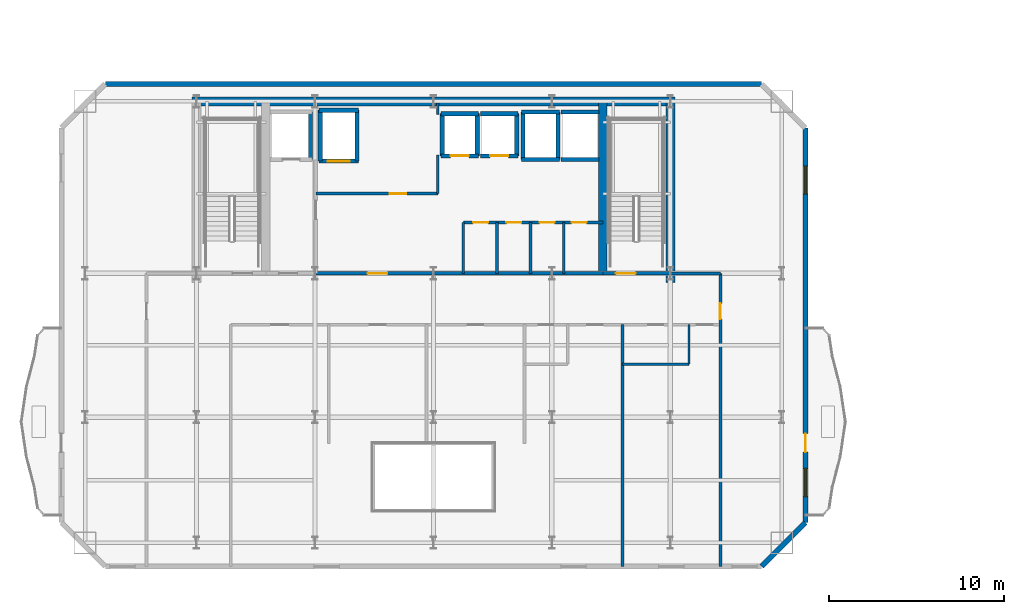
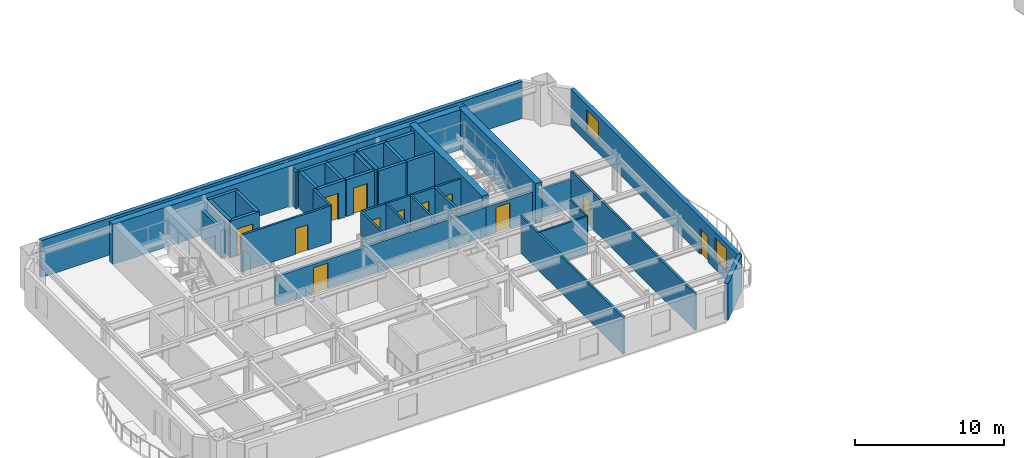
# One storey, part 6 of 13: 39 walls, 12 doors, 2 windows, 14 openings.
"""IFC4 building model written with IfcOpenShell, lengths in metres."""

from ifc_helpers import new_model, si_unit, direction, frame, frame_2d, origin, place, context, subcontext, project, spatial, rectangle, extrude, material, layer, layer_set, type_object, element, fill, save


model = new_model("IFC4")

# Units and contexts
model_context = context("Model", 3, precision=1e-05, world=origin(), true_north=direction((0.0, 1.0)))
body_context = subcontext(model_context, "Body", "Model", "MODEL_VIEW")
ifc_project = project(units=[si_unit("LENGTHUNIT", "METRE"), si_unit("AREAUNIT", "SQUARE_METRE"), si_unit("VOLUMEUNIT", "CUBIC_METRE"), si_unit("PLANEANGLEUNIT", "RADIAN"), si_unit("MASSUNIT", "GRAM", prefix="KILO")], contexts=[model_context])

# Site, building, storey
site_placement = place(None, origin())
site = spatial("IfcSite", under=ifc_project, at=site_placement, CompositionType="ELEMENT")
building_placement = place(site_placement, origin())
building = spatial("IfcBuilding", under=site, at=building_placement, Name="Haevon Station Towers", CompositionType="ELEMENT")
storey_placement = place(building_placement, frame((0.0, 0.0, 142.800048828125)))
storey = spatial("IfcBuildingStorey", under=building, at=storey_placement, Name="L38", CompositionType="ELEMENT", Elevation=142.800048828125)

# Wall, opening, door
ifc_material_1 = material(Name="Gypsum board on steel stud", Category="steel")
ifc_layer_1 = layer(ifc_material_1, 0.199951171875)
ifc_layer_set_1 = layer_set([ifc_layer_1], Name="Gypsum board on steel stud")
wall_type_1 = type_object("IfcWallType", Name="WL-COR200", PredefinedType="PARTITIONING", material=ifc_layer_set_1)
wall_1_placement = place(storey_placement, frame((47.14990234375, 38.199951171875, 0.0), z_axis=(0.0, 0.0, 1.0), x_axis=(1.0, 0.0, 0.0)))
wall_1 = element("IfcWall", 1, at=wall_1_placement, inside=storey, type_object=wall_type_1, Name="WL-ST-ST2-L38", PredefinedType="PARTITIONING", context=body_context, shape_type="SweptSolid", body=[
    extrude(rectangle(XDim=3.85009765625, YDim=0.199951171875, at=frame_2d((1.925048828125, 0.0))), origin(), (0.0, 0.0, 1.0), 2.3798828125),
])
opening_1_placement = place(wall_1_placement, frame((0.75, 0.0, 0.0)))
opening_1 = element("IfcOpeningElement", 2, at=opening_1_placement, cuts=wall_1, Name="Opening DR-ST-ST2-L38", PredefinedType="OPENING", context=body_context, shape_type="SweptSolid", body=[
    extrude(rectangle(XDim=1.1201171875, YDim=2.10009765625, at=frame_2d((0.56005859375, 1.050048828125))), frame((0.0, 0.10986328125, 0.0), z_axis=(0.0, -1.0, 0.0), x_axis=(1.0, 0.0, 0.0)), (0.0, 0.0, 1.0), 0.219970703125),
])
ifc_material_2 = material(Name="Engineered oak timber", Category="wood")
door_type_1 = type_object("IfcDoorType", Name="DR-ST-1120", OperationType="NOTDEFINED", PredefinedType="DOOR", material=ifc_material_2)
door_1_placement = place(opening_1_placement, origin())
door_1 = element("IfcDoor", 3, at=door_1_placement, inside=storey, type_object=door_type_1, Name="L38 Escape Stair ST2 Fire Door", OperationType="SINGLE_SWING_LEFT", OverallHeight=2.10009765625, OverallWidth=1.1201171875, PredefinedType="DOOR", context=body_context, shape_type="SweptSolid", body=[
    extrude(rectangle(XDim=1.1201171875, YDim=2.10009765625, at=frame_2d((0.56005859375, 1.050048828125))), frame((0.0, 0.02490234375, 0.0), z_axis=(0.0, -1.0, 0.0), x_axis=(1.0, 0.0, 0.0)), (0.0, 0.0, 1.0), 0.050048828125),
])
fill(opening_1, door_1)

wall_2_placement = place(storey_placement, frame((30.800048828125, 38.199951171875, 0.0), z_axis=(0.0, 0.0, 1.0), x_axis=(1.0, 0.0, 0.0)))
wall_2 = element("IfcWall", 4, at=wall_2_placement, inside=storey, type_object=wall_type_1, Name="WL-T1CLB-L38", PredefinedType="PARTITIONING", context=body_context, shape_type="SweptSolid", body=[
    extrude(rectangle(XDim=16.349853515625, YDim=0.199951171875, at=frame_2d((8.1748046875, 0.0))), origin(), (0.0, 0.0, 1.0), 2.3798828125),
])
opening_2_placement = place(wall_2_placement, frame((2.949951171875, 0.0, 0.0)))
opening_2 = element("IfcOpeningElement", 5, at=opening_2_placement, cuts=wall_2, Name="Opening DR-T1CLB-L38-1", PredefinedType="OPENING", context=body_context, shape_type="SweptSolid", body=[
    extrude(rectangle(XDim=1.1201171875, YDim=2.10009765625, at=frame_2d((0.56005859375, 1.050048828125))), frame((0.0, 0.10986328125, 0.0), z_axis=(0.0, -1.0, 0.0), x_axis=(1.0, 0.0, 0.0)), (0.0, 0.0, 1.0), 0.219970703125),
])
door_2_placement = place(opening_2_placement, origin())
door_2 = element("IfcDoor", 6, at=door_2_placement, inside=storey, type_object=door_type_1, Name="L38 Tower 1 Core Lift Lobby Door 1", OperationType="SINGLE_SWING_RIGHT", OverallHeight=2.10009765625, OverallWidth=1.1201171875, PredefinedType="DOOR", context=body_context, shape_type="SweptSolid", body=[
    extrude(rectangle(XDim=1.1201171875, YDim=2.10009765625, at=frame_2d((0.56005859375, 1.050048828125))), frame((0.0, 0.02490234375, 0.0), z_axis=(0.0, -1.0, 0.0), x_axis=(1.0, 0.0, 0.0)), (0.0, 0.0, 1.0), 0.050048828125),
])
fill(opening_2, door_2)

# Walls
ifc_material_3 = material(Name="Concrete C60/75", Category="concrete")
ifc_layer_2 = layer(ifc_material_3, 0.5)
ifc_layer_set_2 = layer_set([ifc_layer_2], Name="Concrete C60/75")
wall_type_2 = type_object("IfcWallType", Name="WL-CR500", PredefinedType="SHEAR", material=ifc_layer_set_2)
wall_3_placement = place(storey_placement, frame((23.75, 48.0, 0.0), z_axis=(0.0, 0.0, 1.0), x_axis=(1.0, 0.0, 0.0)))
element("IfcWall", 7, at=wall_3_placement, inside=storey, type_object=wall_type_2, Name="WL-T1CR-L38-N", PredefinedType="SHEAR", context=body_context, shape_type="SweptSolid", body=[
    extrude(rectangle(XDim=27.5, YDim=0.5, at=frame_2d((13.75, 0.0))), origin(), (0.0, 0.0, 1.0), 3.300048828125),
])
wall_4_placement = place(storey_placement, frame((51.0, 37.679931640625, 0.0), z_axis=(0.0, 0.0, 1.0), x_axis=(0.0, 1.0, 0.0)))
element("IfcWall", 8, at=wall_4_placement, inside=storey, type_object=wall_type_2, Name="WL-T1CR-L38-E", PredefinedType="SHEAR", context=body_context, shape_type="SweptSolid", body=[
    extrude(rectangle(XDim=10.320068359375, YDim=0.5, at=frame_2d((5.16015625, 0.0))), origin(), (0.0, 0.0, 1.0), 3.300048828125),
])
wall_5_placement = place(storey_placement, frame((47.14990234375, 38.199951171875, 0.0), z_axis=(0.0, 0.0, 1.0), x_axis=(0.0, 1.0, 0.0)))
element("IfcWall", 9, at=wall_5_placement, inside=storey, type_object=wall_type_2, Name="WL-T1CR-L38-M2", PredefinedType="SHEAR", context=body_context, shape_type="SweptSolid", body=[
    extrude(rectangle(XDim=9.800048828125, YDim=0.5, at=frame_2d((4.89990234375, 0.0))), origin(), (0.0, 0.0, 1.0), 3.300048828125),
])
ifc_material_4 = material(Name="Precast concrete C45/55", Category="concrete")
ifc_layer_3 = layer(ifc_material_4, 0.300048828125)
ifc_layer_set_3 = layer_set([ifc_layer_3], Name="Precast concrete C45/55")
wall_type_3 = type_object("IfcWallType", Name="WL-EXT-PIER300", PredefinedType="SOLIDWALL", material=ifc_layer_set_3)
wall_6_placement = place(storey_placement, frame((18.800048828125, 49.0, 0.0), z_axis=(0.0, 0.0, 1.0), x_axis=(1.0, 0.0, 0.0)))
element("IfcWall", 10, at=wall_6_placement, inside=storey, type_object=wall_type_3, Name="WL-T1-L38-N", PredefinedType="SOLIDWALL", context=body_context, shape_type="SweptSolid", body=[
    extrude(rectangle(XDim=37.39990234375, YDim=0.300048828125, at=frame_2d((18.699951171875, 0.0))), origin(), (0.0, 0.0, 1.0), 3.030029296875),
])

# Wall, openings, door, windows
wall_7_placement = place(storey_placement, frame((58.699951171875, 46.5, 0.0), z_axis=(0.0, 0.0, 1.0), x_axis=(0.0, -1.0, 0.0)))
wall_7 = element("IfcWall", 11, at=wall_7_placement, inside=storey, type_object=wall_type_3, Name="WL-T1-L38-E", PredefinedType="SOLIDWALL", context=body_context, shape_type="SweptSolid", body=[
    extrude(rectangle(XDim=22.5, YDim=0.300048828125, at=frame_2d((11.25, 0.0))), origin(), (0.0, 0.0, 1.0), 3.030029296875),
])
opening_3_placement = place(wall_7_placement, frame((17.425048828125, 0.0, 0.0)))
opening_3 = element("IfcOpeningElement", 12, at=opening_3_placement, cuts=wall_7, Name="Opening DR-T1-SCAL-L38-E", PredefinedType="OPENING", context=body_context, shape_type="SweptSolid", body=[
    extrude(rectangle(XDim=1.050048828125, YDim=2.10009765625, at=frame_2d((0.52490234375, 1.050048828125))), frame((0.0, 0.159912109375, 0.0), z_axis=(0.0, -1.0, 0.0), x_axis=(1.0, 0.0, 0.0)), (0.0, 0.0, 1.0), 0.320068359375),
])
opening_4_placement = place(wall_7_placement, frame((2.1787109375, 0.0, 0.800048828125)))
opening_4 = element("IfcOpeningElement", 13, at=opening_4_placement, cuts=wall_7, Name="Opening WN-END160", PredefinedType="OPENING", context=body_context, shape_type="SweptSolid", body=[
    extrude(rectangle(XDim=1.60009765625, YDim=1.800048828125, at=frame_2d((0.800048828125, 0.89990234375))), frame((0.0, 0.159912109375, 0.0), z_axis=(0.0, -1.0, 0.0), x_axis=(1.0, 0.0, 0.0)), (0.0, 0.0, 1.0), 0.320068359375),
])
opening_5_placement = place(wall_7_placement, frame((19.41064453125, 0.0, 0.800048828125)))
opening_5 = element("IfcOpeningElement", 14, at=opening_5_placement, cuts=wall_7, Name="Opening WN-END160", PredefinedType="OPENING", context=body_context, shape_type="SweptSolid", body=[
    extrude(rectangle(XDim=1.60009765625, YDim=1.800048828125, at=frame_2d((0.800048828125, 0.89990234375))), frame((0.0, 0.159912109375, 0.0), z_axis=(0.0, -1.0, 0.0), x_axis=(1.0, 0.0, 0.0)), (0.0, 0.0, 1.0), 0.320068359375),
])
ifc_material_5 = material(Name="Thermally broken anodised aluminium and laminated safety glass", Category="aluminium")
door_type_2 = type_object("IfcDoorType", Name="DR-BALC-1050", OperationType="NOTDEFINED", PredefinedType="DOOR", material=ifc_material_5)
door_3_placement = place(opening_3_placement, origin())
door_3 = element("IfcDoor", 15, at=door_3_placement, inside=storey, type_object=door_type_2, Name="Tower 1 L38 East Scalloped Balcony Door", OperationType="SINGLE_SWING_RIGHT", OverallHeight=2.10009765625, OverallWidth=1.050048828125, PredefinedType="DOOR", context=body_context, shape_type="SweptSolid", body=[
    extrude(rectangle(XDim=1.050048828125, YDim=2.10009765625, at=frame_2d((0.52490234375, 1.050048828125))), frame((0.0, 0.02490234375, 0.0), z_axis=(0.0, -1.0, 0.0), x_axis=(1.0, 0.0, 0.0)), (0.0, 0.0, 1.0), 0.050048828125),
])
fill(opening_3, door_3)
ifc_material_6 = material(Name="Low-E triple glazing in thermally broken aluminium", Category="aluminium")
window_type = type_object("IfcWindowType", Name="WN-END160", PartitioningType="SINGLE_PANEL", PredefinedType="WINDOW", material=ifc_material_6)
window_1_placement = place(opening_4_placement, origin())
window_1 = element("IfcWindow", 16, at=window_1_placement, inside=storey, type_object=window_type, Name="WN-T1-L38-E01", OverallHeight=1.800048828125, OverallWidth=1.60009765625, PartitioningType="SINGLE_PANEL", PredefinedType="WINDOW", context=body_context, shape_type="SweptSolid", body=[
    extrude(rectangle(XDim=1.60009765625, YDim=1.800048828125, at=frame_2d((0.800048828125, 0.89990234375))), frame((0.0, 0.030029296875, 0.0), z_axis=(0.0, -1.0, 0.0), x_axis=(1.0, 0.0, 0.0)), (0.0, 0.0, 1.0), 0.06005859375),
])
fill(opening_4, window_1)
window_2_placement = place(opening_5_placement, origin())
window_2 = element("IfcWindow", 17, at=window_2_placement, inside=storey, type_object=window_type, Name="WN-T1-L38-E02", OverallHeight=1.800048828125, OverallWidth=1.60009765625, PartitioningType="SINGLE_PANEL", PredefinedType="WINDOW", context=body_context, shape_type="SweptSolid", body=[
    extrude(rectangle(XDim=1.60009765625, YDim=1.800048828125, at=frame_2d((0.800048828125, 0.89990234375))), frame((0.0, 0.030029296875, 0.0), z_axis=(0.0, -1.0, 0.0), x_axis=(1.0, 0.0, 0.0)), (0.0, 0.0, 1.0), 0.06005859375),
])
fill(opening_5, window_2)

# Walls
wall_8_placement = place(storey_placement, frame((58.699951171875, 24.0, 0.0), z_axis=(0.0, 0.0, 1.0), x_axis=(-0.707106781187, -0.707106781187, 0.0)))
element("IfcWall", 18, at=wall_8_placement, inside=storey, type_object=wall_type_3, Name="WL-T1-L38-SEC", PredefinedType="SOLIDWALL", context=body_context, shape_type="SweptSolid", body=[
    extrude(rectangle(XDim=3.53564453125, YDim=0.300048828125, at=frame_2d((1.767822265625, 0.0))), origin(), (0.0, 0.0, 1.0), 3.030029296875),
])
ifc_layer_4 = layer(ifc_material_1, 0.125)
ifc_layer_set_4 = layer_set([ifc_layer_4], Name="Gypsum board on steel stud")
wall_type_4 = type_object("IfcWallType", Name="WL-PRT125", PredefinedType="PARTITIONING", material=ifc_layer_set_4)
wall_9_placement = place(storey_placement, frame((52.070068359375, 33.030029296875, 0.0), z_axis=(0.0, 0.0, 1.0), x_axis=(0.0, 1.0, 0.0)))
element("IfcWall", 19, at=wall_9_placement, inside=storey, type_object=wall_type_4, Name="WL-T1PT-L38-19", PredefinedType="PARTITIONING", context=body_context, shape_type="SweptSolid", body=[
    extrude(rectangle(XDim=2.25, YDim=0.125, at=frame_2d((1.125, 0.0))), origin(), (0.0, 0.0, 1.0), 3.030029296875),
])
ifc_layer_5 = layer(ifc_material_1, 0.139892578125)
ifc_layer_set_5 = layer_set([ifc_layer_5], Name="Gypsum board on steel stud")
wall_type_5 = type_object("IfcWallType", Name="WL-PRT140", PredefinedType="PARTITIONING", material=ifc_layer_set_5)
wall_10_placement = place(storey_placement, frame((48.27001953125, 33.030029296875, 0.0), z_axis=(0.0, 0.0, 1.0), x_axis=(1.0, 0.0, 0.0)))
element("IfcWall", 20, at=wall_10_placement, inside=storey, type_object=wall_type_5, Name="WL-T1PT-L38-18", PredefinedType="PARTITIONING", context=body_context, shape_type="SweptSolid", body=[
    extrude(rectangle(XDim=3.800048828125, YDim=0.139892578125, at=frame_2d((1.89990234375, 0.0))), origin(), (0.0, 0.0, 1.0), 3.030029296875),
])

# Wall, opening, door
ifc_layer_6 = layer(ifc_material_1, 0.159912109375)
ifc_layer_set_6 = layer_set([ifc_layer_6], Name="Gypsum board on steel stud")
wall_type_6 = type_object("IfcWallType", Name="WL-PRT160", PredefinedType="PARTITIONING", material=ifc_layer_set_6)
wall_11_placement = place(storey_placement, frame((30.800048828125, 42.75, 0.0), z_axis=(0.0, 0.0, 1.0), x_axis=(1.0, 0.0, 0.0)))
wall_11 = element("IfcWall", 21, at=wall_11_placement, inside=storey, type_object=wall_type_6, Name="WL-T1CW-L38-01", PredefinedType="PARTITIONING", context=body_context, shape_type="SweptSolid", body=[
    extrude(rectangle(XDim=6.949951171875, YDim=0.159912109375, at=frame_2d((3.47509765625, 0.0))), origin(), (0.0, 0.0, 1.0), 3.030029296875),
])
opening_6_placement = place(wall_11_placement, frame((4.199951171875, 0.0, 0.0)))
opening_6 = element("IfcOpeningElement", 22, at=opening_6_placement, cuts=wall_11, Name="Opening DR-WL-T1CW-L38-01-1", PredefinedType="OPENING", context=body_context, shape_type="SweptSolid", body=[
    extrude(rectangle(XDim=0.949951171875, YDim=2.10009765625, at=frame_2d((0.47509765625, 1.050048828125))), frame((0.0, 0.08984375, 0.0), z_axis=(0.0, -1.0, 0.0), x_axis=(1.0, 0.0, 0.0)), (0.0, 0.0, 1.0), 0.179931640625),
])
door_type_3 = type_object("IfcDoorType", Name="DR-FD60-950", OperationType="NOTDEFINED", PredefinedType="DOOR", material=ifc_material_2)
door_4_placement = place(opening_6_placement, origin())
door_4 = element("IfcDoor", 23, at=door_4_placement, inside=storey, type_object=door_type_3, Name="L38 Tower 1 Core Room Door 1-1", OperationType="SINGLE_SWING_LEFT", OverallHeight=2.10009765625, OverallWidth=0.949951171875, PredefinedType="DOOR", context=body_context, shape_type="SweptSolid", body=[
    extrude(rectangle(XDim=0.949951171875, YDim=2.10009765625, at=frame_2d((0.47509765625, 1.050048828125))), frame((0.0, 0.02490234375, 0.0), z_axis=(0.0, -1.0, 0.0), x_axis=(1.0, 0.0, 0.0)), (0.0, 0.0, 1.0), 0.050048828125),
])
fill(opening_6, door_4)

# Walls
wall_12_placement = place(storey_placement, frame((37.75, 42.75, 0.0), z_axis=(0.0, 0.0, 1.0), x_axis=(0.0, 1.0, 0.0)))
element("IfcWall", 24, at=wall_12_placement, inside=storey, type_object=wall_type_6, Name="WL-T1CW-L38-02", PredefinedType="PARTITIONING", context=body_context, shape_type="SweptSolid", body=[
    extrude(rectangle(XDim=2.199951171875, YDim=0.159912109375, at=frame_2d((1.10009765625, 0.0))), origin(), (0.0, 0.0, 1.0), 3.030029296875),
])
wall_13_placement = place(storey_placement, frame((37.75, 47.25, 0.0), z_axis=(0.0, 0.0, 1.0), x_axis=(0.0, 1.0, 0.0)))
element("IfcWall", 25, at=wall_13_placement, inside=storey, type_object=wall_type_6, Name="WL-T1CW-L38-03", PredefinedType="PARTITIONING", context=body_context, shape_type="SweptSolid", body=[
    extrude(rectangle(XDim=0.64990234375, YDim=0.159912109375, at=frame_2d((0.324951171875, 0.0))), origin(), (0.0, 0.0, 1.0), 3.030029296875),
])
for number, where, z_axis, x_axis, name in (
    (26, (39.199951171875, 38.199951171875, 0.0), (0.0, 0.0, 1.0), (0.0, 1.0, 0.0), "WL-T1CW-L38-04"),
    (27, (41.1298828125, 38.199951171875, 0.0), (0.0, 0.0, 1.0), (0.0, 1.0, 0.0), "WL-T1CW-L38-05"),
    (28, (43.030029296875, 38.199951171875, 0.0), (0.0, 0.0, 1.0), (0.0, 1.0, 0.0), "WL-T1CW-L38-06"),
    (29, (44.929931640625, 38.199951171875, 0.0), (0.0, 0.0, 1.0), (0.0, 1.0, 0.0), "WL-T1CW-L38-07"),
):
    element("IfcWall", number, at=place(storey_placement, frame(where, z_axis=z_axis, x_axis=x_axis)), inside=storey, type_object=wall_type_6, Name=name, PredefinedType="PARTITIONING", context=body_context, shape_type="SweptSolid", body=[
        extrude(rectangle(XDim=2.900146484375, YDim=0.159912109375, at=frame_2d((1.4501953125, 0.0))), origin(), (0.0, 0.0, 1.0), 3.030029296875),
    ])

# Wall, openings, doors
wall_14_placement = place(storey_placement, frame((39.199951171875, 41.10009765625, 0.0), z_axis=(0.0, 0.0, 1.0), x_axis=(1.0, 0.0, 0.0)))
wall_14 = element("IfcWall", 30, at=wall_14_placement, inside=storey, type_object=wall_type_6, Name="WL-T1CW-L38-08", PredefinedType="PARTITIONING", context=body_context, shape_type="SweptSolid", body=[
    extrude(rectangle(XDim=7.949951171875, YDim=0.159912109375, at=frame_2d((3.97509765625, 0.0))), origin(), (0.0, 0.0, 1.0), 3.030029296875),
])
opening_7_placement = place(wall_14_placement, frame((0.56005859375, 0.0, 0.0)))
opening_7 = element("IfcOpeningElement", 31, at=opening_7_placement, cuts=wall_14, Name="Opening DR-WL-T1CW-L38-08-1", PredefinedType="OPENING", context=body_context, shape_type="SweptSolid", body=[
    extrude(rectangle(XDim=0.85009765625, YDim=2.050048828125, at=frame_2d((0.425048828125, 1.02490234375))), frame((0.0, 0.08984375, 0.0), z_axis=(0.0, -1.0, 0.0), x_axis=(1.0, 0.0, 0.0)), (0.0, 0.0, 1.0), 0.179931640625),
])
opening_8_placement = place(wall_14_placement, frame((2.455078125, 0.0, 0.0)))
opening_8 = element("IfcOpeningElement", 32, at=opening_8_placement, cuts=wall_14, Name="Opening DR-WL-T1CW-L38-08-2", PredefinedType="OPENING", context=body_context, shape_type="SweptSolid", body=[
    extrude(rectangle(XDim=0.85009765625, YDim=2.050048828125, at=frame_2d((0.425048828125, 1.02490234375))), frame((0.0, 0.08984375, 0.0), z_axis=(0.0, -1.0, 0.0), x_axis=(1.0, 0.0, 0.0)), (0.0, 0.0, 1.0), 0.179931640625),
])
opening_9_placement = place(wall_14_placement, frame((4.35498046875, 0.0, 0.0)))
opening_9 = element("IfcOpeningElement", 33, at=opening_9_placement, cuts=wall_14, Name="Opening DR-WL-T1CW-L38-08-3", PredefinedType="OPENING", context=body_context, shape_type="SweptSolid", body=[
    extrude(rectangle(XDim=0.85009765625, YDim=2.050048828125, at=frame_2d((0.425048828125, 1.02490234375))), frame((0.0, 0.08984375, 0.0), z_axis=(0.0, -1.0, 0.0), x_axis=(1.0, 0.0, 0.0)), (0.0, 0.0, 1.0), 0.179931640625),
])
opening_10_placement = place(wall_14_placement, frame((6.179931640625, 0.0, 0.0)))
opening_10 = element("IfcOpeningElement", 34, at=opening_10_placement, cuts=wall_14, Name="Opening DR-WL-T1CW-L38-08-4", PredefinedType="OPENING", context=body_context, shape_type="SweptSolid", body=[
    extrude(rectangle(XDim=0.85009765625, YDim=2.050048828125, at=frame_2d((0.425048828125, 1.02490234375))), frame((0.0, 0.08984375, 0.0), z_axis=(0.0, -1.0, 0.0), x_axis=(1.0, 0.0, 0.0)), (0.0, 0.0, 1.0), 0.179931640625),
])
door_type_4 = type_object("IfcDoorType", Name="DR-FD30-850", OperationType="NOTDEFINED", PredefinedType="DOOR", material=ifc_material_2)
door_5_placement = place(opening_7_placement, origin())
door_5 = element("IfcDoor", 35, at=door_5_placement, inside=storey, type_object=door_type_4, Name="L38 Tower 1 Core Room Door 8-1", OperationType="SINGLE_SWING_RIGHT", OverallHeight=2.050048828125, OverallWidth=0.85009765625, PredefinedType="DOOR", context=body_context, shape_type="SweptSolid", body=[
    extrude(rectangle(XDim=0.85009765625, YDim=2.050048828125, at=frame_2d((0.425048828125, 1.02490234375))), frame((0.0, 0.02490234375, 0.0), z_axis=(0.0, -1.0, 0.0), x_axis=(1.0, 0.0, 0.0)), (0.0, 0.0, 1.0), 0.050048828125),
])
fill(opening_7, door_5)
door_6_placement = place(opening_8_placement, origin())
door_6 = element("IfcDoor", 36, at=door_6_placement, inside=storey, type_object=door_type_4, Name="L38 Tower 1 Core Room Door 8-2", OperationType="SINGLE_SWING_LEFT", OverallHeight=2.050048828125, OverallWidth=0.85009765625, PredefinedType="DOOR", context=body_context, shape_type="SweptSolid", body=[
    extrude(rectangle(XDim=0.85009765625, YDim=2.050048828125, at=frame_2d((0.425048828125, 1.02490234375))), frame((0.0, 0.02490234375, 0.0), z_axis=(0.0, -1.0, 0.0), x_axis=(1.0, 0.0, 0.0)), (0.0, 0.0, 1.0), 0.050048828125),
])
fill(opening_8, door_6)
door_7_placement = place(opening_9_placement, origin())
door_7 = element("IfcDoor", 37, at=door_7_placement, inside=storey, type_object=door_type_4, Name="L38 Tower 1 Core Room Door 8-3", OperationType="SINGLE_SWING_RIGHT", OverallHeight=2.050048828125, OverallWidth=0.85009765625, PredefinedType="DOOR", context=body_context, shape_type="SweptSolid", body=[
    extrude(rectangle(XDim=0.85009765625, YDim=2.050048828125, at=frame_2d((0.425048828125, 1.02490234375))), frame((0.0, 0.02490234375, 0.0), z_axis=(0.0, -1.0, 0.0), x_axis=(1.0, 0.0, 0.0)), (0.0, 0.0, 1.0), 0.050048828125),
])
fill(opening_9, door_7)
door_8_placement = place(opening_10_placement, origin())
door_8 = element("IfcDoor", 38, at=door_8_placement, inside=storey, type_object=door_type_4, Name="L38 Tower 1 Core Room Door 8-4", OperationType="SINGLE_SWING_LEFT", OverallHeight=2.050048828125, OverallWidth=0.85009765625, PredefinedType="DOOR", context=body_context, shape_type="SweptSolid", body=[
    extrude(rectangle(XDim=0.85009765625, YDim=2.050048828125, at=frame_2d((0.425048828125, 1.02490234375))), frame((0.0, 0.02490234375, 0.0), z_axis=(0.0, -1.0, 0.0), x_axis=(1.0, 0.0, 0.0)), (0.0, 0.0, 1.0), 0.050048828125),
])
fill(opening_10, door_8)

# Wall
wall_15_placement = place(storey_placement, frame((51.0, 38.199951171875, 0.0), z_axis=(0.0, 0.0, 1.0), x_axis=(1.0, 0.0, 0.0)))
element("IfcWall", 39, at=wall_15_placement, inside=storey, type_object=wall_type_6, Name="WL-T1PT-L38-03", PredefinedType="PARTITIONING", context=body_context, shape_type="SweptSolid", body=[
    extrude(rectangle(XDim=2.85009765625, YDim=0.159912109375, at=frame_2d((1.425048828125, 0.0))), origin(), (0.0, 0.0, 1.0), 2.3798828125),
])

# Wall, opening, door
wall_16_placement = place(storey_placement, frame((53.85009765625, 21.5, 0.0), z_axis=(0.0, 0.0, 1.0), x_axis=(0.0, 1.0, 0.0)))
wall_16 = element("IfcWall", 40, at=wall_16_placement, inside=storey, type_object=wall_type_6, Name="WL-T1PT-L38-05", PredefinedType="PARTITIONING", context=body_context, shape_type="SweptSolid", body=[
    extrude(rectangle(XDim=16.699951171875, YDim=0.159912109375, at=frame_2d((8.35009765625, 0.0))), origin(), (0.0, 0.0, 1.0), 3.030029296875),
])
opening_11_placement = place(wall_16_placement, frame((14.10009765625, 0.0, 0.0)))
opening_11 = element("IfcOpeningElement", 41, at=opening_11_placement, cuts=wall_16, Name="Opening DR-WL-T1PT-L38-05-01", PredefinedType="OPENING", context=body_context, shape_type="SweptSolid", body=[
    extrude(rectangle(XDim=0.89990234375, YDim=2.050048828125, at=frame_2d((0.449951171875, 1.02490234375))), frame((0.0, 0.08984375, 0.0), z_axis=(0.0, -1.0, 0.0), x_axis=(1.0, 0.0, 0.0)), (0.0, 0.0, 1.0), 0.179931640625),
])
door_type_5 = type_object("IfcDoorType", Name="DR-INT-900", OperationType="NOTDEFINED", PredefinedType="DOOR", material=ifc_material_2)
door_9_placement = place(opening_11_placement, origin())
door_9 = element("IfcDoor", 42, at=door_9_placement, inside=storey, type_object=door_type_5, Name="L38 Tower 1 Room Door 5-1", OperationType="SINGLE_SWING_LEFT", OverallHeight=2.050048828125, OverallWidth=0.89990234375, PredefinedType="DOOR", context=body_context, shape_type="SweptSolid", body=[
    extrude(rectangle(XDim=0.89990234375, YDim=2.050048828125, at=frame_2d((0.449951171875, 1.02490234375))), frame((0.0, 0.02490234375, 0.0), z_axis=(0.0, -1.0, 0.0), x_axis=(1.0, 0.0, 0.0)), (0.0, 0.0, 1.0), 0.050048828125),
])
fill(opening_11, door_9)

# Walls
wall_17_placement = place(storey_placement, frame((48.27001953125, 21.5, 0.0), z_axis=(0.0, 0.0, 1.0), x_axis=(0.0, 1.0, 0.0)))
element("IfcWall", 43, at=wall_17_placement, inside=storey, type_object=wall_type_6, Name="WL-T1PT-L38-17", PredefinedType="PARTITIONING", context=body_context, shape_type="SweptSolid", body=[
    extrude(rectangle(XDim=13.780029296875, YDim=0.159912109375, at=frame_2d((6.89013671875, 0.0))), origin(), (0.0, 0.0, 1.0), 3.030029296875),
])
ifc_material_7 = material(Name="Concrete C40/50", Category="concrete")
ifc_layer_7 = layer(ifc_material_7, 0.239990234375)
ifc_layer_set_7 = layer_set([ifc_layer_7], Name="Concrete C40/50")
wall_type_7 = type_object("IfcWallType", Name="WL-SHF240", PredefinedType="PARTITIONING", material=ifc_layer_set_7)
wall_18_placement = place(storey_placement, frame((30.5, 44.699951171875, 0.0), z_axis=(0.0, 0.0, 1.0), x_axis=(0.0, 1.0, 0.0)))
element("IfcWall", 44, at=wall_18_placement, inside=storey, type_object=wall_type_7, Name="WL-SHF-FL1-L38-E", PredefinedType="PARTITIONING", context=body_context, shape_type="SweptSolid", body=[
    extrude(rectangle(XDim=2.699951171875, YDim=0.239990234375, at=frame_2d((1.35009765625, 0.0))), origin(), (0.0, 0.0, 1.0), 2.3798828125),
])

# Wall, opening, door
wall_19_placement = place(storey_placement, frame((30.969970703125, 44.60009765625, 0.0), z_axis=(0.0, 0.0, 1.0), x_axis=(1.0, 0.0, 0.0)))
wall_19 = element("IfcWall", 45, at=wall_19_placement, inside=storey, type_object=wall_type_7, Name="WL-SHF-SL1-L38", PredefinedType="PARTITIONING", context=body_context, shape_type="SweptSolid", body=[
    extrude(rectangle(XDim=2.260009765625, YDim=0.239990234375, at=frame_2d((1.1298828125, 0.0))), origin(), (0.0, 0.0, 1.0), 3.030029296875),
])
opening_12_placement = place(wall_19_placement, frame((0.5048828125, 0.0, 0.0)))
opening_12 = element("IfcOpeningElement", 46, at=opening_12_placement, cuts=wall_19, Name="Opening LD-SL1-L38", PredefinedType="OPENING", context=body_context, shape_type="SweptSolid", body=[
    extrude(rectangle(XDim=1.25, YDim=2.199951171875, at=frame_2d((0.625, 1.10009765625))), frame((0.0, 0.1298828125, 0.0), z_axis=(0.0, -1.0, 0.0), x_axis=(1.0, 0.0, 0.0)), (0.0, 0.0, 1.0), 0.260009765625),
])
ifc_material_8 = material(Name="Stainless steel and rated core", Category="steel")
door_type_6 = type_object("IfcDoorType", Name="LD-SL1250", OperationType="SLIDING_TO_LEFT", PredefinedType="DOOR", material=ifc_material_8)
door_10_placement = place(opening_12_placement, origin())
door_10 = element("IfcDoor", 47, at=door_10_placement, inside=storey, type_object=door_type_6, Name="L38 Lift SL1 Sliding Landing Door", OperationType="SLIDING_TO_LEFT", OverallHeight=2.199951171875, OverallWidth=1.25, PredefinedType="DOOR", context=body_context, shape_type="SweptSolid", body=[
    extrude(rectangle(XDim=1.25, YDim=2.199951171875, at=frame_2d((0.625, 1.10009765625))), frame((0.0, 0.02490234375, 0.0), z_axis=(0.0, -1.0, 0.0), x_axis=(1.0, 0.0, 0.0)), (0.0, 0.0, 1.0), 0.050048828125),
])
fill(opening_12, door_10)

# Walls
wall_20_placement = place(storey_placement, frame((30.969970703125, 47.5, 0.0), z_axis=(0.0, 0.0, 1.0), x_axis=(1.0, 0.0, 0.0)))
element("IfcWall", 48, at=wall_20_placement, inside=storey, type_object=wall_type_7, Name="WL-SHF-SL1-L38-N", PredefinedType="PARTITIONING", context=body_context, shape_type="SweptSolid", body=[
    extrude(rectangle(XDim=2.260009765625, YDim=0.239990234375, at=frame_2d((1.1298828125, 0.0))), origin(), (0.0, 0.0, 1.0), 3.030029296875),
])
for number, where, z_axis, x_axis, name in (
    (49, (31.050048828125, 44.60009765625, 0.0), (0.0, 0.0, 1.0), (0.0, 1.0, 0.0), "WL-SHF-SL1-L38-W"),
    (50, (33.14990234375, 44.60009765625, 0.0), (0.0, 0.0, 1.0), (0.0, 1.0, 0.0), "WL-SHF-SL1-L38-E"),
):
    element("IfcWall", number, at=place(storey_placement, frame(where, z_axis=z_axis, x_axis=x_axis)), inside=storey, type_object=wall_type_7, Name=name, PredefinedType="PARTITIONING", context=body_context, shape_type="SweptSolid", body=[
        extrude(rectangle(XDim=2.89990234375, YDim=0.239990234375, at=frame_2d((1.449951171875, 0.0))), origin(), (0.0, 0.0, 1.0), 3.030029296875),
    ])

# Wall, opening, door
wall_21_placement = place(storey_placement, frame((37.919921875, 44.89990234375, 0.0), z_axis=(0.0, 0.0, 1.0), x_axis=(1.0, 0.0, 0.0)))
wall_21 = element("IfcWall", 51, at=wall_21_placement, inside=storey, type_object=wall_type_7, Name="WL-SHF-PL3-L38", PredefinedType="PARTITIONING", context=body_context, shape_type="SweptSolid", body=[
    extrude(rectangle(XDim=2.16015625, YDim=0.239990234375, at=frame_2d((1.080078125, 0.0))), origin(), (0.0, 0.0, 1.0), 3.030029296875),
])
opening_13_placement = place(wall_21_placement, frame((0.554931640625, 0.0, 0.0)))
opening_13 = element("IfcOpeningElement", 52, at=opening_13_placement, cuts=wall_21, Name="Opening LD-PL3-L38", PredefinedType="OPENING", context=body_context, shape_type="SweptSolid", body=[
    extrude(rectangle(XDim=1.050048828125, YDim=2.14990234375, at=frame_2d((0.52490234375, 1.074951171875))), frame((0.0, 0.1298828125, 0.0), z_axis=(0.0, -1.0, 0.0), x_axis=(1.0, 0.0, 0.0)), (0.0, 0.0, 1.0), 0.260009765625),
])
door_type_7 = type_object("IfcDoorType", Name="LD-PL1050", OperationType="SLIDING_TO_LEFT", PredefinedType="DOOR", material=ifc_material_8)
door_11_placement = place(opening_13_placement, origin())
door_11 = element("IfcDoor", 53, at=door_11_placement, inside=storey, type_object=door_type_7, Name="L38 Lift PL3 Sliding Landing Door", OperationType="SLIDING_TO_LEFT", OverallHeight=2.14990234375, OverallWidth=1.050048828125, PredefinedType="DOOR", context=body_context, shape_type="SweptSolid", body=[
    extrude(rectangle(XDim=1.050048828125, YDim=2.14990234375, at=frame_2d((0.52490234375, 1.074951171875))), frame((0.0, 0.02490234375, 0.0), z_axis=(0.0, -1.0, 0.0), x_axis=(1.0, 0.0, 0.0)), (0.0, 0.0, 1.0), 0.050048828125),
])
fill(opening_13, door_11)

# Walls
wall_22_placement = place(storey_placement, frame((37.919921875, 47.300048828125, 0.0), z_axis=(0.0, 0.0, 1.0), x_axis=(1.0, 0.0, 0.0)))
element("IfcWall", 54, at=wall_22_placement, inside=storey, type_object=wall_type_7, Name="WL-SHF-PL3-L38-N", PredefinedType="PARTITIONING", context=body_context, shape_type="SweptSolid", body=[
    extrude(rectangle(XDim=2.16015625, YDim=0.239990234375, at=frame_2d((1.080078125, 0.0))), origin(), (0.0, 0.0, 1.0), 3.030029296875),
])
for number, where, z_axis, x_axis, name in (
    (55, (38.0, 44.89990234375, 0.0), (0.0, 0.0, 1.0), (0.0, 1.0, 0.0), "WL-SHF-PL3-L38-W"),
    (56, (40.0, 44.89990234375, 0.0), (0.0, 0.0, 1.0), (0.0, 1.0, 0.0), "WL-SHF-PL3-L38-E"),
):
    element("IfcWall", number, at=place(storey_placement, frame(where, z_axis=z_axis, x_axis=x_axis)), inside=storey, type_object=wall_type_7, Name=name, PredefinedType="PARTITIONING", context=body_context, shape_type="SweptSolid", body=[
        extrude(rectangle(XDim=2.400146484375, YDim=0.239990234375, at=frame_2d((1.2001953125, 0.0))), origin(), (0.0, 0.0, 1.0), 3.030029296875),
    ])

# Wall, opening, door
wall_23_placement = place(storey_placement, frame((40.169921875, 44.89990234375, 0.0), z_axis=(0.0, 0.0, 1.0), x_axis=(1.0, 0.0, 0.0)))
wall_23 = element("IfcWall", 57, at=wall_23_placement, inside=storey, type_object=wall_type_7, Name="WL-SHF-PL4-L38", PredefinedType="PARTITIONING", context=body_context, shape_type="SweptSolid", body=[
    extrude(rectangle(XDim=2.16015625, YDim=0.239990234375, at=frame_2d((1.080078125, 0.0))), origin(), (0.0, 0.0, 1.0), 3.030029296875),
])
opening_14_placement = place(wall_23_placement, frame((0.554931640625, 0.0, 0.0)))
opening_14 = element("IfcOpeningElement", 58, at=opening_14_placement, cuts=wall_23, Name="Opening LD-PL4-L38", PredefinedType="OPENING", context=body_context, shape_type="SweptSolid", body=[
    extrude(rectangle(XDim=1.050048828125, YDim=2.14990234375, at=frame_2d((0.52490234375, 1.074951171875))), frame((0.0, 0.1298828125, 0.0), z_axis=(0.0, -1.0, 0.0), x_axis=(1.0, 0.0, 0.0)), (0.0, 0.0, 1.0), 0.260009765625),
])
door_12_placement = place(opening_14_placement, origin())
door_12 = element("IfcDoor", 59, at=door_12_placement, inside=storey, type_object=door_type_7, Name="L38 Lift PL4 Sliding Landing Door", OperationType="SLIDING_TO_LEFT", OverallHeight=2.14990234375, OverallWidth=1.050048828125, PredefinedType="DOOR", context=body_context, shape_type="SweptSolid", body=[
    extrude(rectangle(XDim=1.050048828125, YDim=2.14990234375, at=frame_2d((0.52490234375, 1.074951171875))), frame((0.0, 0.02490234375, 0.0), z_axis=(0.0, -1.0, 0.0), x_axis=(1.0, 0.0, 0.0)), (0.0, 0.0, 1.0), 0.050048828125),
])
fill(opening_14, door_12)

# Walls
wall_24_placement = place(storey_placement, frame((40.169921875, 47.300048828125, 0.0), z_axis=(0.0, 0.0, 1.0), x_axis=(1.0, 0.0, 0.0)))
element("IfcWall", 60, at=wall_24_placement, inside=storey, type_object=wall_type_7, Name="WL-SHF-PL4-L38-N", PredefinedType="PARTITIONING", context=body_context, shape_type="SweptSolid", body=[
    extrude(rectangle(XDim=2.16015625, YDim=0.239990234375, at=frame_2d((1.080078125, 0.0))), origin(), (0.0, 0.0, 1.0), 3.030029296875),
])
wall_25_placement = place(storey_placement, frame((42.25, 44.89990234375, 0.0), z_axis=(0.0, 0.0, 1.0), x_axis=(0.0, 1.0, 0.0)))
element("IfcWall", 61, at=wall_25_placement, inside=storey, type_object=wall_type_7, Name="WL-SHF-PL4-L38-E", PredefinedType="PARTITIONING", context=body_context, shape_type="SweptSolid", body=[
    extrude(rectangle(XDim=2.400146484375, YDim=0.239990234375, at=frame_2d((1.2001953125, 0.0))), origin(), (0.0, 0.0, 1.0), 3.030029296875),
])
for number, where, z_axis, x_axis, name in (
    (62, (42.52001953125, 44.699951171875, 0.0), (0.0, 0.0, 1.0), (1.0, 0.0, 0.0), "WL-SHF-PL5-L38"),
    (63, (42.52001953125, 47.39990234375, 0.0), (0.0, 0.0, 1.0), (1.0, 0.0, 0.0), "WL-SHF-PL5-L38-N"),
):
    element("IfcWall", number, at=place(storey_placement, frame(where, z_axis=z_axis, x_axis=x_axis)), inside=storey, type_object=wall_type_7, Name=name, PredefinedType="PARTITIONING", context=body_context, shape_type="SweptSolid", body=[
        extrude(rectangle(XDim=2.159912109375, YDim=0.239990234375, at=frame_2d((1.080078125, 0.0))), origin(), (0.0, 0.0, 1.0), 3.030029296875),
    ])
for number, where, z_axis, x_axis, name in (
    (64, (42.60009765625, 44.699951171875, 0.0), (0.0, 0.0, 1.0), (0.0, 1.0, 0.0), "WL-SHF-PL5-L38-W"),
    (65, (44.60009765625, 44.699951171875, 0.0), (0.0, 0.0, 1.0), (0.0, 1.0, 0.0), "WL-SHF-PL5-L38-E"),
):
    element("IfcWall", number, at=place(storey_placement, frame(where, z_axis=z_axis, x_axis=x_axis)), inside=storey, type_object=wall_type_7, Name=name, PredefinedType="PARTITIONING", context=body_context, shape_type="SweptSolid", body=[
        extrude(rectangle(XDim=2.699951171875, YDim=0.239990234375, at=frame_2d((1.35009765625, 0.0))), origin(), (0.0, 0.0, 1.0), 3.030029296875),
    ])
for number, where, z_axis, x_axis, name in (
    (66, (44.77001953125, 44.699951171875, 0.0), (0.0, 0.0, 1.0), (1.0, 0.0, 0.0), "WL-SHF-PL6-L38"),
    (67, (44.77001953125, 47.39990234375, 0.0), (0.0, 0.0, 1.0), (1.0, 0.0, 0.0), "WL-SHF-PL6-L38-N"),
):
    element("IfcWall", number, at=place(storey_placement, frame(where, z_axis=z_axis, x_axis=x_axis)), inside=storey, type_object=wall_type_7, Name=name, PredefinedType="PARTITIONING", context=body_context, shape_type="SweptSolid", body=[
        extrude(rectangle(XDim=2.159912109375, YDim=0.239990234375, at=frame_2d((1.080078125, 0.0))), origin(), (0.0, 0.0, 1.0), 3.030029296875),
    ])

save(model, "model.ifc")
